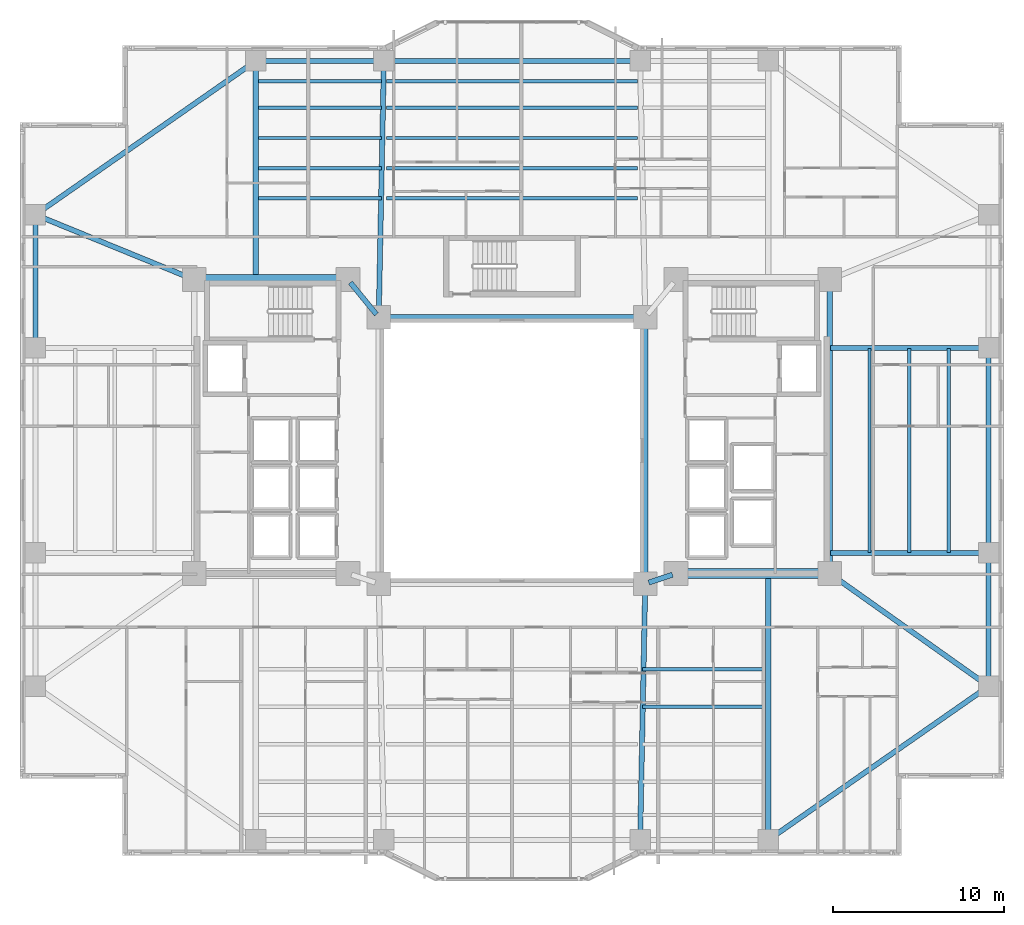
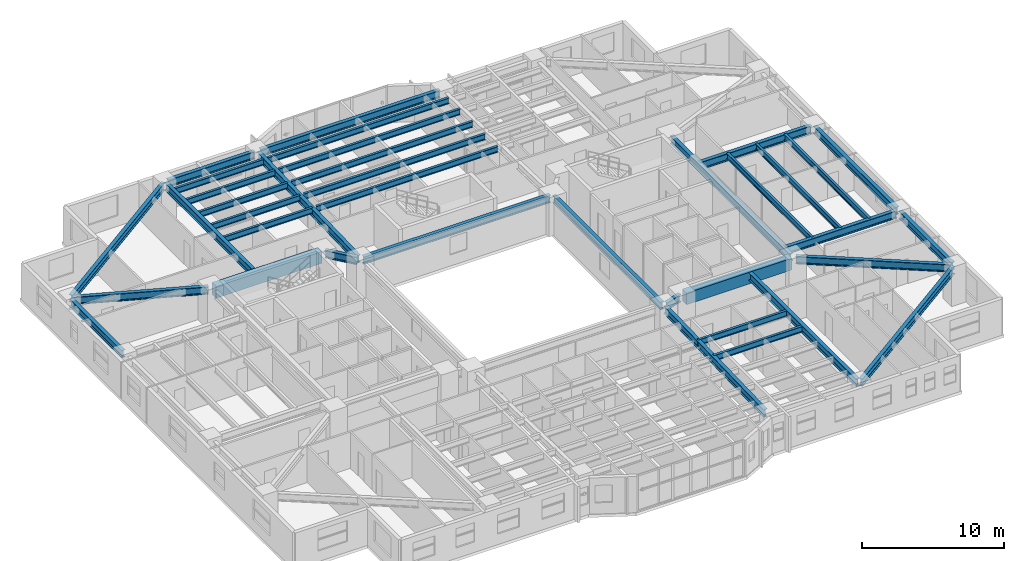
# One storey, part 5 of 22: 37 beams.
"""IFC4 building model written with IfcOpenShell, lengths in metres."""

from ifc_helpers import new_model, si_unit, direction, frame, origin, origin_2d, place, context, subcontext, project, spatial, rectangle, i_section, extrude, material, material_profile, profile_set, type_object, element, save


model = new_model("IFC4")

# Units and contexts
model_context = context("Model", 3, precision=1e-05, world=origin(), true_north=direction((0.0, 1.0)))
body_context = subcontext(model_context, "Body", "Model", "MODEL_VIEW")
ifc_project = project(units=[si_unit("LENGTHUNIT", "METRE"), si_unit("AREAUNIT", "SQUARE_METRE"), si_unit("VOLUMEUNIT", "CUBIC_METRE"), si_unit("PLANEANGLEUNIT", "RADIAN"), si_unit("MASSUNIT", "GRAM", prefix="KILO")], contexts=[model_context])

# Site, building, storey
site_placement = place(None, origin())
site = spatial("IfcSite", under=ifc_project, at=site_placement, CompositionType="ELEMENT")
building_placement = place(site_placement, origin())
building = spatial("IfcBuilding", under=site, at=building_placement, Name="Tarnavaz Court Tower", CompositionType="ELEMENT")
storey_placement = place(building_placement, frame((0.0, 0.0, 27.35009765625)))
storey = spatial("IfcBuildingStorey", under=building, at=storey_placement, Name="L06", CompositionType="ELEMENT", Elevation=27.35009765625)

# Beams
ifc_material_1 = material(Name="Concrete C60/75", Category="concrete")
ifc_material_profile_1 = material_profile(ifc_material_1, rectangle(XDim=0.60009765625, YDim=1.0, at=origin_2d()), Name="RC 600X1000")
ifc_profile_set_1 = profile_set([ifc_material_profile_1], Name="Concrete C60/75")
beam_type_1 = type_object("IfcBeamType", Name="BM-CB1000", PredefinedType="LINTEL", material=ifc_profile_set_1)
for number, where, z_axis, x_axis, name in (
    (1, (-18.3798828125, 10.0, 2.599853515625), (1.0, 0.0, 0.0), (0.0, 1.0, 0.0), "L06 Beam IN-CW-NO-CW-NI"),
    (2, (18.3798828125, -7.199951171875, 2.599853515625), (-1.0, 0.0, 0.0), (0.0, -1.0, 0.0), "L06 Beam IN-CE-SO-CE-SI"),
):
    element("IfcBeam", number, at=place(storey_placement, frame(where, z_axis=z_axis, x_axis=x_axis)), inside=storey, type_object=beam_type_1, Name=name, PredefinedType="LINTEL", context=body_context, shape_type="SweptSolid", body=[
        extrude(rectangle(XDim=0.60009765625, YDim=1.0, at=origin_2d()), origin(), (0.0, 0.0, 1.0), 8.559814453125),
    ])
ifc_material_2 = material(Name="Steel S355", Category="steel")
ifc_material_profile_2 = material_profile(ifc_material_2, i_section(OverallWidth=0.300048828125, OverallDepth=0.64990234375, WebThickness=0.01611328125, FlangeThickness=0.031005859375, FilletRadius=0.027099609375, at=origin_2d()), Name="HEB 650")
ifc_profile_set_2 = profile_set([ifc_material_profile_2], Name="Steel S355")
beam_type_2 = type_object("IfcBeamType", Name="BM-G-HEB650", PredefinedType="USERDEFINED", material=ifc_profile_set_2)
beam_1_placement = place(storey_placement, frame((9.391357421875, -7.26953125, 2.77490234375), z_axis=(-0.948666544706, -0.316278021615, 0.0), x_axis=(0.316278021615, -0.948666544706, 0.0)))
element("IfcBeam", 3, at=beam_1_placement, inside=storey, type_object=beam_type_2, Name="L06 Beam IN-CE-SI-IW-SE", ObjectType="GIRDER", PredefinedType="USERDEFINED", context=body_context, shape_type="SweptSolid", body=[
    extrude(i_section(OverallWidth=0.300048828125, OverallDepth=0.64990234375, WebThickness=0.01611328125, FlangeThickness=0.031005859375, FilletRadius=0.027099609375, at=origin_2d()), origin(), (0.0, 0.0, 1.0), 1.457275390625),
])
beam_2_placement = place(storey_placement, frame((-9.460693359375, 9.82958984375, 2.77490234375), z_axis=(0.633282058357, -0.773921077735, 0.0), x_axis=(0.773921077735, 0.633282058357, 0.0)))
element("IfcBeam", 4, at=beam_2_placement, inside=storey, type_object=beam_type_2, Name="L06 Beam IN-CW-NI-IW-NW", ObjectType="GIRDER", PredefinedType="USERDEFINED", context=body_context, shape_type="SweptSolid", body=[
    extrude(i_section(OverallWidth=0.300048828125, OverallDepth=0.64990234375, WebThickness=0.01611328125, FlangeThickness=0.031005859375, FilletRadius=0.027099609375, at=origin_2d()), origin(), (0.0, 0.0, 1.0), 2.402587890625),
])
beam_3_placement = place(storey_placement, frame((18.60009765625, -6.97998046875, 2.77490234375), z_axis=(0.0, 1.0, 0.0), x_axis=(-1.0, 0.0, 0.0)))
element("IfcBeam", 5, at=beam_3_placement, inside=storey, type_object=beam_type_2, Name="L06 Beam IN-CE-SO-CE-NO", ObjectType="GIRDER", PredefinedType="USERDEFINED", context=body_context, shape_type="SweptSolid", body=[
    extrude(i_section(OverallWidth=0.300048828125, OverallDepth=0.64990234375, WebThickness=0.01611328125, FlangeThickness=0.031005859375, FilletRadius=0.027099609375, at=origin_2d()), origin(), (0.0, 0.0, 1.0), 16.760009765625),
])
beam_4_placement = place(storey_placement, frame((-15.0, 10.0400390625, 2.77490234375), z_axis=(0.0, 1.0, 0.0), x_axis=(-1.0, 0.0, 0.0)))
element("IfcBeam", 6, at=beam_4_placement, inside=storey, type_object=beam_type_2, Name="L06 Beam RG-01", ObjectType="GIRDER", PredefinedType="USERDEFINED", context=body_context, shape_type="SweptSolid", body=[
    extrude(i_section(OverallWidth=0.300048828125, OverallDepth=0.64990234375, WebThickness=0.01611328125, FlangeThickness=0.031005859375, FilletRadius=0.027099609375, at=origin_2d()), origin(), (0.0, 0.0, 1.0), 12.5400390625),
])
for number, where, z_axis, x_axis, name in (
    (7, (-7.795654296875, 8.02001953125, 2.77490234375), (0.020000023066, 0.999799979535, 0.0), (-0.999799979535, 0.020000023066, 0.0), "L06 Beam RG-02"),
    (8, (7.795654296875, -8.02001953125, 2.77490234375), (-0.020000023066, -0.999799979535, 0.0), (0.999799979535, -0.020000023066, 0.0), "L06 Beam RG-07"),
):
    element("IfcBeam", number, at=place(storey_placement, frame(where, z_axis=z_axis, x_axis=x_axis)), inside=storey, type_object=beam_type_2, Name=name, ObjectType="GIRDER", PredefinedType="USERDEFINED", context=body_context, shape_type="SweptSolid", body=[
        extrude(i_section(OverallWidth=0.300048828125, OverallDepth=0.64990234375, WebThickness=0.01611328125, FlangeThickness=0.031005859375, FilletRadius=0.027099609375, at=origin_2d()), origin(), (0.0, 0.0, 1.0), 14.56298828125),
    ])
beam_5_placement = place(storey_placement, frame((15.0, -7.239990234375, 2.77490234375), z_axis=(0.0, -1.0, 0.0), x_axis=(1.0, 0.0, 0.0)))
element("IfcBeam", 9, at=beam_5_placement, inside=storey, type_object=beam_type_2, Name="L06 Beam RG-08", ObjectType="GIRDER", PredefinedType="USERDEFINED", context=body_context, shape_type="SweptSolid", body=[
    extrude(i_section(OverallWidth=0.300048828125, OverallDepth=0.64990234375, WebThickness=0.01611328125, FlangeThickness=0.031005859375, FilletRadius=0.027099609375, at=origin_2d()), origin(), (0.0, 0.0, 1.0), 15.340087890625),
])
for number, where, z_axis, x_axis, name in (
    (10, (18.639892578125, -6.0, 2.77490234375), (1.0, 0.0, 0.0), (0.0, 1.0, 0.0), "L06 Beam RG-09"),
    (11, (18.639892578125, 6.0, 2.77490234375), (1.0, 0.0, 0.0), (0.0, 1.0, 0.0), "L06 Beam RG-10"),
):
    element("IfcBeam", number, at=place(storey_placement, frame(where, z_axis=z_axis, x_axis=x_axis)), inside=storey, type_object=beam_type_2, Name=name, ObjectType="GIRDER", PredefinedType="USERDEFINED", context=body_context, shape_type="SweptSolid", body=[
        extrude(i_section(OverallWidth=0.300048828125, OverallDepth=0.64990234375, WebThickness=0.01611328125, FlangeThickness=0.031005859375, FilletRadius=0.027099609375, at=origin_2d()), origin(), (0.0, 0.0, 1.0), 9.0400390625),
    ])
beam_6_placement = place(storey_placement, frame((18.779296875, -7.327392578125, 2.77490234375), z_axis=(0.815520027245, -0.578728852886, 0.0), x_axis=(0.578728852886, 0.815520027245, 0.0)))
element("IfcBeam", 12, at=beam_6_placement, inside=storey, type_object=beam_type_2, Name="L06 Beam RG-11", ObjectType="GIRDER", PredefinedType="USERDEFINED", context=body_context, shape_type="SweptSolid", body=[
    extrude(i_section(OverallWidth=0.300048828125, OverallDepth=0.64990234375, WebThickness=0.01611328125, FlangeThickness=0.031005859375, FilletRadius=0.027099609375, at=origin_2d()), origin(), (0.0, 0.0, 1.0), 10.964111328125),
])
beam_7_placement = place(storey_placement, frame((-18.8037109375, 10.083251953125, 2.77490234375), z_axis=(-0.925704761705, 0.378246869329, 0.0), x_axis=(-0.378246869329, -0.925704761705, 0.0)))
element("IfcBeam", 13, at=beam_7_placement, inside=storey, type_object=beam_type_2, Name="L06 Beam RG-16", ObjectType="GIRDER", PredefinedType="USERDEFINED", context=body_context, shape_type="SweptSolid", body=[
    extrude(i_section(OverallWidth=0.300048828125, OverallDepth=0.64990234375, WebThickness=0.01611328125, FlangeThickness=0.031005859375, FilletRadius=0.027099609375, at=origin_2d()), origin(), (0.0, 0.0, 1.0), 9.606201171875),
])
ifc_material_profile_3 = material_profile(ifc_material_2, i_section(OverallWidth=0.199951171875, OverallDepth=0.5, WebThickness=0.01025390625, FlangeThickness=0.01611328125, FilletRadius=0.02099609375, at=origin_2d()), Name="IPE 500")
ifc_profile_set_3 = profile_set([ifc_material_profile_3], Name="Steel S355")
beam_type_3 = type_object("IfcBeamType", Name="BM-J-IPE500", PredefinedType="JOIST", material=ifc_profile_set_3)
beam_8_placement = place(storey_placement, frame((-14.85009765625, 14.763916015625, 2.849853515625), z_axis=(1.0, 0.0, 0.0), x_axis=(0.0, 1.0, 0.0)))
element("IfcBeam", 14, at=beam_8_placement, inside=storey, type_object=beam_type_3, Name="L06 Beam JN1-1", PredefinedType="JOIST", context=body_context, shape_type="SweptSolid", body=[
    extrude(i_section(OverallWidth=0.199951171875, OverallDepth=0.5, WebThickness=0.01025390625, FlangeThickness=0.01611328125, FilletRadius=0.02099609375, at=origin_2d()), origin(), (0.0, 0.0, 1.0), 7.2001953125),
])
beam_9_placement = place(storey_placement, frame((-7.35009765625, 14.763916015625, 2.849853515625), z_axis=(1.0, 0.0, 0.0), x_axis=(0.0, 1.0, 0.0)))
element("IfcBeam", 15, at=beam_9_placement, inside=storey, type_object=beam_type_3, Name="L06 Beam JN1-2", PredefinedType="JOIST", context=body_context, shape_type="SweptSolid", body=[
    extrude(i_section(OverallWidth=0.199951171875, OverallDepth=0.5, WebThickness=0.01025390625, FlangeThickness=0.01611328125, FilletRadius=0.02099609375, at=origin_2d()), origin(), (0.0, 0.0, 1.0), 14.7001953125),
])
for number, where, z_axis, x_axis, name in (
    (16, (7.64990234375, -12.7958984375, 2.849853515625), (1.0, 0.0, 0.0), (0.0, 1.0, 0.0), "L06 Beam JS1-3"),
    (17, (-14.85009765625, 16.528076171875, 2.849853515625), (1.0, 0.0, 0.0), (0.0, 1.0, 0.0), "L06 Beam JN2-1"),
):
    element("IfcBeam", number, at=place(storey_placement, frame(where, z_axis=z_axis, x_axis=x_axis)), inside=storey, type_object=beam_type_3, Name=name, PredefinedType="JOIST", context=body_context, shape_type="SweptSolid", body=[
        extrude(i_section(OverallWidth=0.199951171875, OverallDepth=0.5, WebThickness=0.01025390625, FlangeThickness=0.01611328125, FilletRadius=0.02099609375, at=origin_2d()), origin(), (0.0, 0.0, 1.0), 7.2001953125),
    ])
beam_10_placement = place(storey_placement, frame((-7.35009765625, 16.528076171875, 2.849853515625), z_axis=(1.0, 0.0, 0.0), x_axis=(0.0, 1.0, 0.0)))
element("IfcBeam", 18, at=beam_10_placement, inside=storey, type_object=beam_type_3, Name="L06 Beam JN2-2", PredefinedType="JOIST", context=body_context, shape_type="SweptSolid", body=[
    extrude(i_section(OverallWidth=0.199951171875, OverallDepth=0.5, WebThickness=0.01025390625, FlangeThickness=0.01611328125, FilletRadius=0.02099609375, at=origin_2d()), origin(), (0.0, 0.0, 1.0), 14.7001953125),
])
for number, where, z_axis, x_axis, name in (
    (19, (7.64990234375, -14.991943359375, 2.849853515625), (1.0, 0.0, 0.0), (0.0, 1.0, 0.0), "L06 Beam JS2-3"),
    (20, (-14.85009765625, 18.2919921875, 2.849853515625), (1.0, 0.0, 0.0), (0.0, 1.0, 0.0), "L06 Beam JN3-1"),
):
    element("IfcBeam", number, at=place(storey_placement, frame(where, z_axis=z_axis, x_axis=x_axis)), inside=storey, type_object=beam_type_3, Name=name, PredefinedType="JOIST", context=body_context, shape_type="SweptSolid", body=[
        extrude(i_section(OverallWidth=0.199951171875, OverallDepth=0.5, WebThickness=0.01025390625, FlangeThickness=0.01611328125, FilletRadius=0.02099609375, at=origin_2d()), origin(), (0.0, 0.0, 1.0), 7.2001953125),
    ])
beam_11_placement = place(storey_placement, frame((-7.35009765625, 18.2919921875, 2.849853515625), z_axis=(1.0, 0.0, 0.0), x_axis=(0.0, 1.0, 0.0)))
element("IfcBeam", 21, at=beam_11_placement, inside=storey, type_object=beam_type_3, Name="L06 Beam JN3-2", PredefinedType="JOIST", context=body_context, shape_type="SweptSolid", body=[
    extrude(i_section(OverallWidth=0.199951171875, OverallDepth=0.5, WebThickness=0.01025390625, FlangeThickness=0.01611328125, FilletRadius=0.02099609375, at=origin_2d()), origin(), (0.0, 0.0, 1.0), 14.7001953125),
])
beam_12_placement = place(storey_placement, frame((-14.85009765625, 20.055908203125, 2.849853515625), z_axis=(1.0, 0.0, 0.0), x_axis=(0.0, 1.0, 0.0)))
element("IfcBeam", 22, at=beam_12_placement, inside=storey, type_object=beam_type_3, Name="L06 Beam JN4-1", PredefinedType="JOIST", context=body_context, shape_type="SweptSolid", body=[
    extrude(i_section(OverallWidth=0.199951171875, OverallDepth=0.5, WebThickness=0.01025390625, FlangeThickness=0.01611328125, FilletRadius=0.02099609375, at=origin_2d()), origin(), (0.0, 0.0, 1.0), 7.2001953125),
])
beam_13_placement = place(storey_placement, frame((-7.35009765625, 20.055908203125, 2.849853515625), z_axis=(1.0, 0.0, 0.0), x_axis=(0.0, 1.0, 0.0)))
element("IfcBeam", 23, at=beam_13_placement, inside=storey, type_object=beam_type_3, Name="L06 Beam JN4-2", PredefinedType="JOIST", context=body_context, shape_type="SweptSolid", body=[
    extrude(i_section(OverallWidth=0.199951171875, OverallDepth=0.5, WebThickness=0.01025390625, FlangeThickness=0.01611328125, FilletRadius=0.02099609375, at=origin_2d()), origin(), (0.0, 0.0, 1.0), 14.7001953125),
])
beam_14_placement = place(storey_placement, frame((-14.85009765625, 21.6240234375, 2.849853515625), z_axis=(1.0, 0.0, 0.0), x_axis=(0.0, 1.0, 0.0)))
element("IfcBeam", 24, at=beam_14_placement, inside=storey, type_object=beam_type_3, Name="L06 Beam JN5-1", PredefinedType="JOIST", context=body_context, shape_type="SweptSolid", body=[
    extrude(i_section(OverallWidth=0.199951171875, OverallDepth=0.5, WebThickness=0.01025390625, FlangeThickness=0.01611328125, FilletRadius=0.02099609375, at=origin_2d()), origin(), (0.0, 0.0, 1.0), 7.2001953125),
])
beam_15_placement = place(storey_placement, frame((-7.35009765625, 21.6240234375, 2.849853515625), z_axis=(1.0, 0.0, 0.0), x_axis=(0.0, 1.0, 0.0)))
element("IfcBeam", 25, at=beam_15_placement, inside=storey, type_object=beam_type_3, Name="L06 Beam JN5-2", PredefinedType="JOIST", context=body_context, shape_type="SweptSolid", body=[
    extrude(i_section(OverallWidth=0.199951171875, OverallDepth=0.5, WebThickness=0.01025390625, FlangeThickness=0.01611328125, FilletRadius=0.02099609375, at=origin_2d()), origin(), (0.0, 0.0, 1.0), 14.7001953125),
])
for number, where, z_axis, x_axis, name in (
    (26, (20.925048828125, -5.9599609375, 2.849853515625), (0.0, 1.0, 0.0), (-1.0, 0.0, 0.0), "L06 Beam JE1"),
    (27, (23.25, -5.9599609375, 2.849853515625), (0.0, 1.0, 0.0), (-1.0, 0.0, 0.0), "L06 Beam JE2"),
    (28, (25.574951171875, -5.9599609375, 2.849853515625), (0.0, 1.0, 0.0), (-1.0, 0.0, 0.0), "L06 Beam JE3"),
):
    element("IfcBeam", number, at=place(storey_placement, frame(where, z_axis=z_axis, x_axis=x_axis)), inside=storey, type_object=beam_type_3, Name=name, PredefinedType="JOIST", context=body_context, shape_type="SweptSolid", body=[
        extrude(i_section(OverallWidth=0.199951171875, OverallDepth=0.5, WebThickness=0.01025390625, FlangeThickness=0.01611328125, FilletRadius=0.02099609375, at=origin_2d()), origin(), (0.0, 0.0, 1.0), 11.919921875),
    ])
ifc_material_profile_4 = material_profile(ifc_material_2, i_section(OverallWidth=0.300048828125, OverallDepth=0.639892578125, WebThickness=0.013427734375, FlangeThickness=0.02587890625, FilletRadius=0.027099609375, at=origin_2d()), Name="HEA 650")
ifc_profile_set_4 = profile_set([ifc_material_profile_4], Name="Steel S355")
beam_type_4 = type_object("IfcBeamType", Name="BM-SP-HEA650", PredefinedType="SPANDREL", material=ifc_profile_set_4)
for number, where, z_axis, x_axis, name in (
    (29, (-7.580078125, 7.800048828125, 2.77978515625), (1.0, 0.0, 0.0), (0.0, 1.0, 0.0), "L06 Beam IN-IW-NW-IW-NE"),
    (30, (7.800048828125, -7.580078125, 2.77978515625), (0.0, 1.0, 0.0), (-1.0, 0.0, 0.0), "L06 Beam IN-IW-SE-IW-NE"),
):
    element("IfcBeam", number, at=place(storey_placement, frame(where, z_axis=z_axis, x_axis=x_axis)), inside=storey, type_object=beam_type_4, Name=name, PredefinedType="SPANDREL", context=body_context, shape_type="SweptSolid", body=[
        extrude(i_section(OverallWidth=0.300048828125, OverallDepth=0.639892578125, WebThickness=0.013427734375, FlangeThickness=0.02587890625, FilletRadius=0.027099609375, at=origin_2d()), origin(), (0.0, 0.0, 1.0), 15.16015625),
    ])
beam_16_placement = place(storey_placement, frame((-14.780029296875, 22.800048828125, 2.77978515625), z_axis=(1.0, 0.0, 0.0), x_axis=(0.0, 1.0, 0.0)))
element("IfcBeam", 31, at=beam_16_placement, inside=storey, type_object=beam_type_4, Name="L06 Beam PR-PN-1-PN-2", PredefinedType="SPANDREL", context=body_context, shape_type="SweptSolid", body=[
    extrude(i_section(OverallWidth=0.300048828125, OverallDepth=0.639892578125, WebThickness=0.013427734375, FlangeThickness=0.02587890625, FilletRadius=0.027099609375, at=origin_2d()), origin(), (0.0, 0.0, 1.0), 7.06005859375),
])
beam_17_placement = place(storey_placement, frame((-7.280029296875, 22.800048828125, 2.77978515625), z_axis=(1.0, 0.0, 0.0), x_axis=(0.0, 1.0, 0.0)))
element("IfcBeam", 32, at=beam_17_placement, inside=storey, type_object=beam_type_4, Name="L06 Beam PR-PN-2-PN-3", PredefinedType="SPANDREL", context=body_context, shape_type="SweptSolid", body=[
    extrude(i_section(OverallWidth=0.300048828125, OverallDepth=0.639892578125, WebThickness=0.013427734375, FlangeThickness=0.02587890625, FilletRadius=0.027099609375, at=origin_2d()), origin(), (0.0, 0.0, 1.0), 14.56005859375),
])
beam_18_placement = place(storey_placement, frame((27.89990234375, -13.580078125, 2.77978515625), z_axis=(0.0, 1.0, 0.0), x_axis=(-1.0, 0.0, 0.0)))
element("IfcBeam", 33, at=beam_18_placement, inside=storey, type_object=beam_type_4, Name="L06 Beam PR-PE-1-PE-2", PredefinedType="SPANDREL", context=body_context, shape_type="SweptSolid", body=[
    extrude(i_section(OverallWidth=0.300048828125, OverallDepth=0.639892578125, WebThickness=0.013427734375, FlangeThickness=0.02587890625, FilletRadius=0.027099609375, at=origin_2d()), origin(), (0.0, 0.0, 1.0), 7.360107421875),
])
beam_19_placement = place(storey_placement, frame((27.89990234375, -5.780029296875, 2.77978515625), z_axis=(0.0, 1.0, 0.0), x_axis=(-1.0, 0.0, 0.0)))
element("IfcBeam", 34, at=beam_19_placement, inside=storey, type_object=beam_type_4, Name="L06 Beam PR-PE-2-PE-3", PredefinedType="SPANDREL", context=body_context, shape_type="SweptSolid", body=[
    extrude(i_section(OverallWidth=0.300048828125, OverallDepth=0.639892578125, WebThickness=0.013427734375, FlangeThickness=0.02587890625, FilletRadius=0.027099609375, at=origin_2d()), origin(), (0.0, 0.0, 1.0), 11.56005859375),
])
beam_20_placement = place(storey_placement, frame((-27.89990234375, 6.219970703125, 2.77978515625), z_axis=(0.0, 1.0, 0.0), x_axis=(-1.0, 0.0, 0.0)))
element("IfcBeam", 35, at=beam_20_placement, inside=storey, type_object=beam_type_4, Name="L06 Beam PR-PW-3-PW-4", PredefinedType="SPANDREL", context=body_context, shape_type="SweptSolid", body=[
    extrude(i_section(OverallWidth=0.300048828125, OverallDepth=0.639892578125, WebThickness=0.013427734375, FlangeThickness=0.02587890625, FilletRadius=0.027099609375, at=origin_2d()), origin(), (0.0, 0.0, 1.0), 7.360107421875),
])
for number, where, z_axis, x_axis, name in (
    (36, (27.719482421875, -13.92578125, 2.77978515625), (-0.820123643324, -0.572186341729, 0.0), (0.572186341729, -0.820123643324, 0.0), "L06 Beam PR-PE-1-PS-4"),
    (37, (-27.719482421875, 13.92578125, 2.77978515625), (0.820123643324, 0.572186341729, 0.0), (-0.572186341729, 0.820123643324, 0.0), "L06 Beam PR-PW-4-PN-1"),
):
    element("IfcBeam", number, at=place(storey_placement, frame(where, z_axis=z_axis, x_axis=x_axis)), inside=storey, type_object=beam_type_4, Name=name, PredefinedType="SPANDREL", context=body_context, shape_type="SweptSolid", body=[
        extrude(i_section(OverallWidth=0.300048828125, OverallDepth=0.639892578125, WebThickness=0.013427734375, FlangeThickness=0.02587890625, FilletRadius=0.027099609375, at=origin_2d()), origin(), (0.0, 0.0, 1.0), 15.289306640625),
    ])

save(model, "model.ifc")
